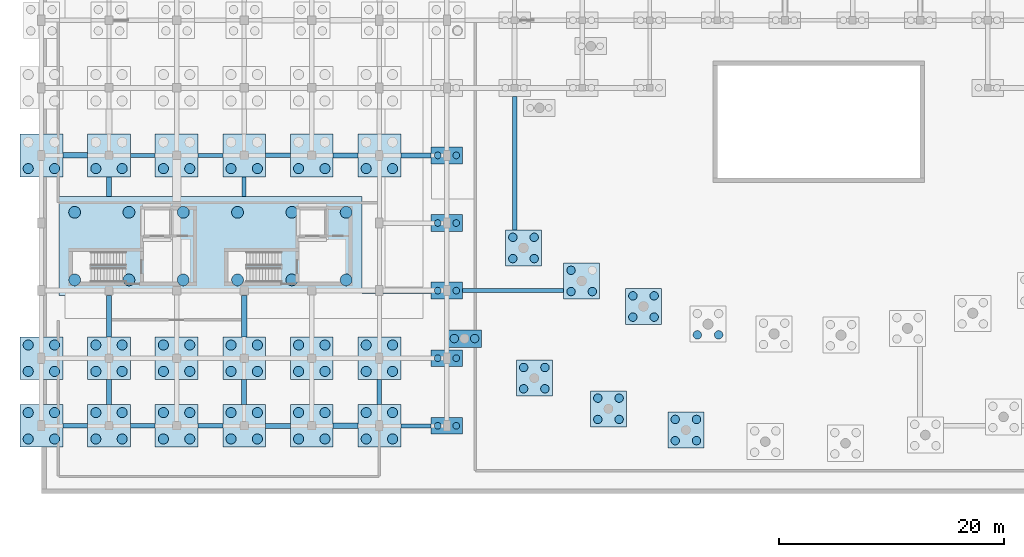
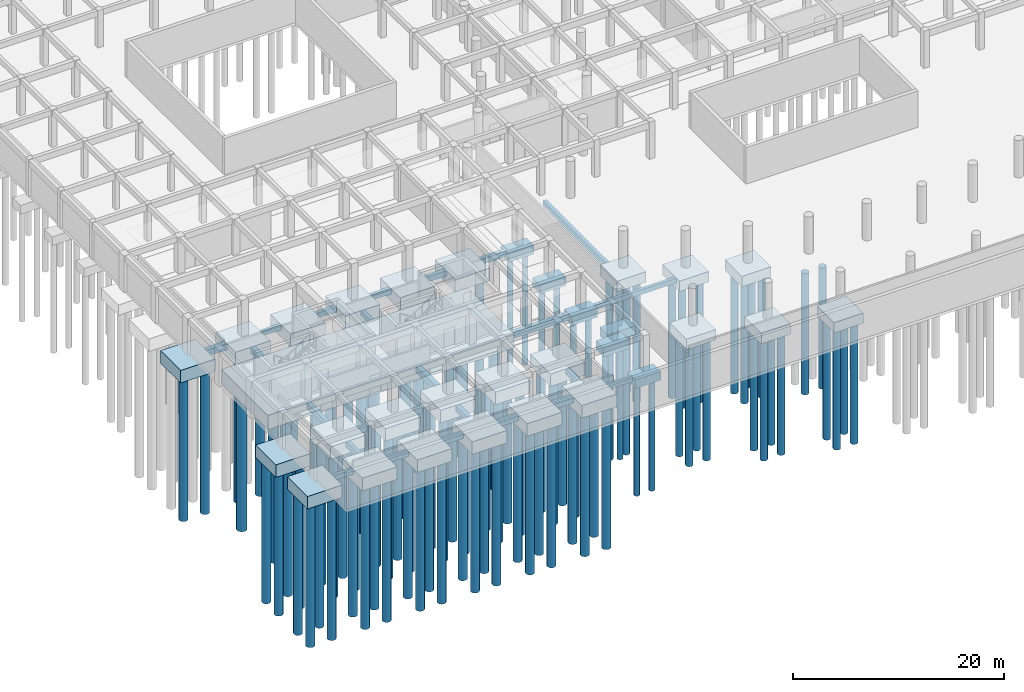
# One storey, part 1 of 41: 109 piles, 53 footings.
"""IFC4 building model written with IfcOpenShell, lengths in metres."""

from ifc_helpers import new_model, si_unit, direction, frame, origin, origin_2d, place, context, subcontext, project, spatial, polyline, rectangle, circle, outline, extrude, material, material_profile, profile_set, type_object, element, save


model = new_model("IFC4")

# Units and contexts
model_context = context("Model", 3, precision=1e-05, world=origin(), true_north=direction((0.0, 1.0)))
body_context = subcontext(model_context, "Body", "Model", "MODEL_VIEW")
ifc_project = project(units=[si_unit("LENGTHUNIT", "METRE"), si_unit("AREAUNIT", "SQUARE_METRE"), si_unit("VOLUMEUNIT", "CUBIC_METRE"), si_unit("PLANEANGLEUNIT", "RADIAN"), si_unit("MASSUNIT", "GRAM", prefix="KILO"), si_unit("POWERUNIT", "WATT"), si_unit("THERMODYNAMICTEMPERATUREUNIT", "KELVIN")], contexts=[model_context])

# Site, building, storey
site_placement = place(None, origin())
site = spatial("IfcSite", under=ifc_project, at=site_placement, CompositionType="ELEMENT")
building_placement = place(site_placement, origin())
building = spatial("IfcBuilding", under=site, at=building_placement, Name="Ruvembo Vaulted Housing Court", CompositionType="ELEMENT")
storey_placement = place(building_placement, frame((0.0, 0.0, -4.5)))
storey = spatial("IfcBuildingStorey", under=building, at=storey_placement, Name="B1", CompositionType="ELEMENT", Elevation=-4.5)

# Footings
ifc_material_1 = material(Name="Concrete C30/37", Category="concrete")
footing_type_1 = type_object("IfcFootingType", Name="GB-350x550", PredefinedType="FOOTING_BEAM", material=ifc_material_1)
footing_1_placement = place(storey_placement, frame((0.0, 0.0, -0.85009765625)))
element("IfcFooting", 1, at=footing_1_placement, inside=storey, type_object=footing_type_1, Name="Ground Tie Beam GB-006", PredefinedType="FOOTING_BEAM", context=body_context, shape_type="SweptSolid", body=[
    extrude(outline(polyline([(31.89990234375, 5.824951171875), (34.60009765625, 5.824951171875), (34.60009765625, 6.175048828125), (31.89990234375, 6.175048828125), (31.89990234375, 5.824951171875)])), origin(), (0.0, 0.0, 1.0), 0.550048828125),
])
footing_2_placement = place(storey_placement, frame((0.0, 0.0, -0.85009765625)))
element("IfcFooting", 2, at=footing_2_placement, inside=storey, type_object=footing_type_1, Name="Ground Tie Beam GB-024", PredefinedType="FOOTING_BEAM", context=body_context, shape_type="SweptSolid", body=[
    extrude(outline(polyline([(37.39990234375, 17.824951171875), (46.358154296875, 17.824951171875), (46.358154296875, 18.175048828125), (37.39990234375, 18.175048828125), (37.39990234375, 17.824951171875)])), origin(), (0.0, 0.0, 1.0), 0.550048828125),
])
footing_3_placement = place(storey_placement, frame((0.0, 0.0, -0.85009765625)))
element("IfcFooting", 3, at=footing_3_placement, inside=storey, type_object=footing_type_1, Name="Ground Tie Beam GB-036", PredefinedType="FOOTING_BEAM", context=body_context, shape_type="SweptSolid", body=[
    extrude(outline(polyline([(7.89990234375, 29.824951171875), (10.10009765625, 29.824951171875), (10.10009765625, 30.175048828125), (7.89990234375, 30.175048828125), (7.89990234375, 29.824951171875)])), origin(), (0.0, 0.0, 1.0), 0.550048828125),
])
footing_4_placement = place(storey_placement, frame((0.0, 0.0, -0.85009765625)))
element("IfcFooting", 4, at=footing_4_placement, inside=storey, type_object=footing_type_1, Name="Ground Tie Beam GB-198", PredefinedType="FOOTING_BEAM", context=body_context, shape_type="SweptSolid", body=[
    extrude(outline(polyline([(17.824951171875, 26.35009765625), (18.175048828125, 26.35009765625), (18.175048828125, 28.10009765625), (17.824951171875, 28.10009765625), (17.824951171875, 26.35009765625)])), origin(), (0.0, 0.0, 1.0), 0.550048828125),
])
footing_type_2 = type_object("IfcFootingType", Name="GB-380x580", PredefinedType="FOOTING_BEAM", material=ifc_material_1)
footing_5_placement = place(storey_placement, frame((0.0, 0.0, -0.8798828125)))
element("IfcFooting", 5, at=footing_5_placement, inside=storey, type_object=footing_type_2, Name="Ground Tie Beam GB-001", PredefinedType="FOOTING_BEAM", context=body_context, shape_type="SweptSolid", body=[
    extrude(outline(polyline([(1.89990234375, 5.81005859375), (4.10009765625, 5.81005859375), (4.10009765625, 6.18994140625), (1.89990234375, 6.18994140625), (1.89990234375, 5.81005859375)])), origin(), (0.0, 0.0, 1.0), 0.579833984375),
])
footing_6_placement = place(storey_placement, frame((0.0, 0.0, -0.8798828125)))
element("IfcFooting", 6, at=footing_6_placement, inside=storey, type_object=footing_type_2, Name="Ground Tie Beam GB-037", PredefinedType="FOOTING_BEAM", context=body_context, shape_type="SweptSolid", body=[
    extrude(outline(polyline([(13.89990234375, 29.81005859375), (16.10009765625, 29.81005859375), (16.10009765625, 30.18994140625), (13.89990234375, 30.18994140625), (13.89990234375, 29.81005859375)])), origin(), (0.0, 0.0, 1.0), 0.579833984375),
])
footing_7_placement = place(storey_placement, frame((0.0, 0.0, -0.8798828125)))
element("IfcFooting", 7, at=footing_7_placement, inside=storey, type_object=footing_type_2, Name="Ground Tie Beam GB-205", PredefinedType="FOOTING_BEAM", context=body_context, shape_type="SweptSolid", body=[
    extrude(outline(polyline([(29.81005859375, 7.89990234375), (30.18994140625, 7.89990234375), (30.18994140625, 10.10009765625), (29.81005859375, 10.10009765625), (29.81005859375, 7.89990234375)])), origin(), (0.0, 0.0, 1.0), 0.579833984375),
])
footing_type_3 = type_object("IfcFootingType", Name="GB-400x600", PredefinedType="FOOTING_BEAM", material=ifc_material_1)
footing_8_placement = place(storey_placement, frame((0.0, 0.0, -0.89990234375)))
element("IfcFooting", 8, at=footing_8_placement, inside=storey, type_object=footing_type_3, Name="Ground Tie Beam GB-002", PredefinedType="FOOTING_BEAM", context=body_context, shape_type="SweptSolid", body=[
    extrude(outline(polyline([(7.89990234375, 5.800048828125), (10.10009765625, 5.800048828125), (10.10009765625, 6.199951171875), (7.89990234375, 6.199951171875), (7.89990234375, 5.800048828125)])), origin(), (0.0, 0.0, 1.0), 0.599853515625),
])
footing_9_placement = place(storey_placement, frame((0.0, 0.0, -0.89990234375)))
element("IfcFooting", 9, at=footing_9_placement, inside=storey, type_object=footing_type_3, Name="Ground Tie Beam GB-038", PredefinedType="FOOTING_BEAM", context=body_context, shape_type="SweptSolid", body=[
    extrude(outline(polyline([(19.89990234375, 29.800048828125), (22.10009765625, 29.800048828125), (22.10009765625, 30.199951171875), (19.89990234375, 30.199951171875), (19.89990234375, 29.800048828125)])), origin(), (0.0, 0.0, 1.0), 0.599853515625),
])
footing_10_placement = place(storey_placement, frame((0.0, 0.0, -0.89990234375)))
element("IfcFooting", 10, at=footing_10_placement, inside=storey, type_object=footing_type_3, Name="Ground Tie Beam GB-182", PredefinedType="FOOTING_BEAM", context=body_context, shape_type="SweptSolid", body=[
    extrude(outline(polyline([(5.800048828125, 7.89990234375), (6.199951171875, 7.89990234375), (6.199951171875, 10.10009765625), (5.800048828125, 10.10009765625), (5.800048828125, 7.89990234375)])), origin(), (0.0, 0.0, 1.0), 0.599853515625),
])
footing_11_placement = place(storey_placement, frame((0.0, 0.0, -0.89990234375)))
element("IfcFooting", 11, at=footing_11_placement, inside=storey, type_object=footing_type_3, Name="Ground Tie Beam GB-212", PredefinedType="FOOTING_BEAM", context=body_context, shape_type="SweptSolid", body=[
    extrude(outline(polyline([(41.800048828125, 23.38525390625), (42.199951171875, 23.38525390625), (42.199951171875, 35.25), (41.800048828125, 35.25), (41.800048828125, 23.38525390625)])), origin(), (0.0, 0.0, 1.0), 0.599853515625),
])
footing_type_4 = type_object("IfcFootingType", Name="GB-420x620", PredefinedType="FOOTING_BEAM", material=ifc_material_1)
footing_12_placement = place(storey_placement, frame((0.0, 0.0, -0.919921875)))
element("IfcFooting", 12, at=footing_12_placement, inside=storey, type_object=footing_type_4, Name="Ground Tie Beam GB-003", PredefinedType="FOOTING_BEAM", context=body_context, shape_type="SweptSolid", body=[
    extrude(outline(polyline([(13.89990234375, 5.7900390625), (16.10009765625, 5.7900390625), (16.10009765625, 6.2099609375), (13.89990234375, 6.2099609375), (13.89990234375, 5.7900390625)])), origin(), (0.0, 0.0, 1.0), 0.619873046875),
])
footing_13_placement = place(storey_placement, frame((0.0, 0.0, -0.919921875)))
element("IfcFooting", 13, at=footing_13_placement, inside=storey, type_object=footing_type_4, Name="Ground Tie Beam GB-039", PredefinedType="FOOTING_BEAM", context=body_context, shape_type="SweptSolid", body=[
    extrude(outline(polyline([(25.89990234375, 29.7900390625), (28.10009765625, 29.7900390625), (28.10009765625, 30.2099609375), (25.89990234375, 30.2099609375), (25.89990234375, 29.7900390625)])), origin(), (0.0, 0.0, 1.0), 0.619873046875),
])
footing_14_placement = place(storey_placement, frame((0.0, 0.0, -0.919921875)))
element("IfcFooting", 14, at=footing_14_placement, inside=storey, type_object=footing_type_4, Name="Ground Tie Beam GB-183", PredefinedType="FOOTING_BEAM", context=body_context, shape_type="SweptSolid", body=[
    extrude(outline(polyline([(5.7900390625, 13.89990234375), (6.2099609375, 13.89990234375), (6.2099609375, 17.550048828125), (5.7900390625, 17.550048828125), (5.7900390625, 13.89990234375)])), origin(), (0.0, 0.0, 1.0), 0.619873046875),
])
footing_type_5 = type_object("IfcFootingType", Name="GB-450x650", PredefinedType="FOOTING_BEAM", material=ifc_material_1)
footing_15_placement = place(storey_placement, frame((0.0, 0.0, -0.949951171875)))
element("IfcFooting", 15, at=footing_15_placement, inside=storey, type_object=footing_type_5, Name="Ground Tie Beam GB-004", PredefinedType="FOOTING_BEAM", context=body_context, shape_type="SweptSolid", body=[
    extrude(outline(polyline([(19.89990234375, 5.77490234375), (22.10009765625, 5.77490234375), (22.10009765625, 6.22509765625), (19.89990234375, 6.22509765625), (19.89990234375, 5.77490234375)])), origin(), (0.0, 0.0, 1.0), 0.64990234375),
])
footing_16_placement = place(storey_placement, frame((0.0, 0.0, -0.949951171875)))
element("IfcFooting", 16, at=footing_16_placement, inside=storey, type_object=footing_type_5, Name="Ground Tie Beam GB-040", PredefinedType="FOOTING_BEAM", context=body_context, shape_type="SweptSolid", body=[
    extrude(outline(polyline([(31.89990234375, 29.77490234375), (34.60009765625, 29.77490234375), (34.60009765625, 30.22509765625), (31.89990234375, 30.22509765625), (31.89990234375, 29.77490234375)])), origin(), (0.0, 0.0, 1.0), 0.64990234375),
])
footing_17_placement = place(storey_placement, frame((0.0, 0.0, -0.949951171875)))
element("IfcFooting", 17, at=footing_17_placement, inside=storey, type_object=footing_type_5, Name="Ground Tie Beam GB-184", PredefinedType="FOOTING_BEAM", context=body_context, shape_type="SweptSolid", body=[
    extrude(outline(polyline([(5.77490234375, 26.35009765625), (6.22509765625, 26.35009765625), (6.22509765625, 28.10009765625), (5.77490234375, 28.10009765625), (5.77490234375, 26.35009765625)])), origin(), (0.0, 0.0, 1.0), 0.64990234375),
])
footing_18_placement = place(storey_placement, frame((0.0, 0.0, -0.949951171875)))
element("IfcFooting", 18, at=footing_18_placement, inside=storey, type_object=footing_type_5, Name="Ground Tie Beam GB-196", PredefinedType="FOOTING_BEAM", context=body_context, shape_type="SweptSolid", body=[
    extrude(outline(polyline([(17.77490234375, 7.89990234375), (18.22509765625, 7.89990234375), (18.22509765625, 10.10009765625), (17.77490234375, 10.10009765625), (17.77490234375, 7.89990234375)])), origin(), (0.0, 0.0, 1.0), 0.64990234375),
])
footing_type_6 = type_object("IfcFootingType", Name="GB-500x700", PredefinedType="FOOTING_BEAM", material=ifc_material_1)
footing_19_placement = place(storey_placement, frame((0.0, 0.0, -1.0)))
element("IfcFooting", 19, at=footing_19_placement, inside=storey, type_object=footing_type_6, Name="Ground Tie Beam GB-005", PredefinedType="FOOTING_BEAM", context=body_context, shape_type="SweptSolid", body=[
    extrude(outline(polyline([(25.89990234375, 5.75), (28.10009765625, 5.75), (28.10009765625, 6.25), (25.89990234375, 6.25), (25.89990234375, 5.75)])), origin(), (0.0, 0.0, 1.0), 0.699951171875),
])
footing_20_placement = place(storey_placement, frame((0.0, 0.0, -1.0)))
element("IfcFooting", 20, at=footing_20_placement, inside=storey, type_object=footing_type_6, Name="Ground Tie Beam GB-023", PredefinedType="FOOTING_BEAM", context=body_context, shape_type="SweptSolid", body=[
    extrude(outline(polyline([(28.449951171875, 17.75), (34.60009765625, 17.75), (34.60009765625, 18.25), (28.449951171875, 18.25), (28.449951171875, 17.75)])), origin(), (0.0, 0.0, 1.0), 0.699951171875),
])
footing_21_placement = place(storey_placement, frame((0.0, 0.0, -1.0)))
element("IfcFooting", 21, at=footing_21_placement, inside=storey, type_object=footing_type_6, Name="Ground Tie Beam GB-035", PredefinedType="FOOTING_BEAM", context=body_context, shape_type="SweptSolid", body=[
    extrude(outline(polyline([(1.89990234375, 29.75), (4.10009765625, 29.75), (4.10009765625, 30.25), (1.89990234375, 30.25), (1.89990234375, 29.75)])), origin(), (0.0, 0.0, 1.0), 0.699951171875),
])
footing_22_placement = place(storey_placement, frame((0.0, 0.0, -1.0)))
element("IfcFooting", 22, at=footing_22_placement, inside=storey, type_object=footing_type_6, Name="Ground Tie Beam GB-197", PredefinedType="FOOTING_BEAM", context=body_context, shape_type="SweptSolid", body=[
    extrude(outline(polyline([(17.75, 13.89990234375), (18.25, 13.89990234375), (18.25, 17.550048828125), (17.75, 17.550048828125), (17.75, 13.89990234375)])), origin(), (0.0, 0.0, 1.0), 0.699951171875),
])
ifc_material_2 = material(Name="Concrete C35/45", Category="concrete")
footing_type_7 = type_object("IfcFootingType", Name="PC-2P-A", PredefinedType="PILE_CAP", material=ifc_material_2)
for number, where, z_axis, x_axis, name in (
    (23, (36.0, 6.0, -1.300048828125), (0.0, 0.0, 1.0), (1.0, 0.0, 0.0), "Pile Cap PC1 #75"),
    (24, (36.0, 12.0, -1.300048828125), (0.0, 0.0, 1.0), (1.0, 0.0, 0.0), "Pile Cap PC1 #76"),
    (25, (36.0, 18.0, -1.300048828125), (0.0, 0.0, 1.0), (1.0, 0.0, 0.0), "Pile Cap PC1 #77"),
    (26, (36.0, 24.0, -1.300048828125), (0.0, 0.0, 1.0), (1.0, 0.0, 0.0), "Pile Cap PC1 #78"),
    (27, (36.0, 30.0, -1.300048828125), (0.0, 0.0, 1.0), (1.0, 0.0, 0.0), "Pile Cap PC1 #79"),
):
    element("IfcFooting", number, at=place(storey_placement, frame(where, z_axis=z_axis, x_axis=x_axis)), inside=storey, type_object=footing_type_7, Name=name, PredefinedType="PILE_CAP", context=body_context, shape_type="SweptSolid", body=[
        extrude(rectangle(XDim=2.800048828125, YDim=1.5, at=origin_2d()), origin(), (0.0, 0.0, 1.0), 1.0),
    ])
footing_type_8 = type_object("IfcFootingType", Name="PC-2P-B", PredefinedType="PILE_CAP", material=ifc_material_2)
footing_23_placement = place(storey_placement, frame((37.55224609375, 13.742431640625, -1.35009765625), z_axis=(0.0, 0.0, 1.0), x_axis=(1.0, 0.0, 0.0)))
element("IfcFooting", 28, at=footing_23_placement, inside=storey, type_object=footing_type_8, Name="Pile Cap PC2 #404", PredefinedType="PILE_CAP", context=body_context, shape_type="SweptSolid", body=[
    extrude(rectangle(XDim=3.0, YDim=1.550048828125, at=origin_2d()), origin(), (0.0, 0.0, 1.0), 1.050048828125),
])
footing_type_9 = type_object("IfcFootingType", Name="PC-4P-A", PredefinedType="PILE_CAP", material=ifc_material_2)
for number, where, z_axis, x_axis, name in (
    (29, (42.79345703125, 21.785400390625, -1.5), (0.0, 0.0, 1.0), (1.0, 0.0, 0.0), "Pile Cap PC4 #403"),
    (30, (47.958251953125, 18.85791015625, -1.5), (0.0, 0.0, 1.0), (1.0, 0.0, 0.0), "Pile Cap PC4 #405"),
    (31, (43.749755859375, 10.2294921875, -1.5), (0.0, 0.0, 1.0), (1.0, 0.0, 0.0), "Pile Cap PC4 #406"),
    (32, (53.44482421875, 16.59033203125, -1.5), (0.0, 0.0, 1.0), (1.0, 0.0, 0.0), "Pile Cap PC4 #407"),
    (33, (50.333740234375, 7.50830078125, -1.5), (0.0, 0.0, 1.0), (1.0, 0.0, 0.0), "Pile Cap PC4 #408"),
    (34, (57.203125, 5.62109375, -1.5), (0.0, 0.0, 1.0), (1.0, 0.0, 0.0), "Pile Cap PC4 #410"),
):
    element("IfcFooting", number, at=place(storey_placement, frame(where, z_axis=z_axis, x_axis=x_axis)), inside=storey, type_object=footing_type_9, Name=name, PredefinedType="PILE_CAP", context=body_context, shape_type="SweptSolid", body=[
        extrude(rectangle(XDim=3.199951171875, YDim=3.199951171875, at=origin_2d()), origin(), (0.0, 0.0, 1.0), 1.199951171875),
    ])
footing_type_10 = type_object("IfcFootingType", Name="PC-4P-D", PredefinedType="PILE_CAP", material=ifc_material_2)
for number, where, z_axis, x_axis, name in (
    (35, (0.0, 6.0, -1.75), (0.0, 0.0, 1.0), (1.0, 0.0, 0.0), "Pile Cap PC7 #5"),
    (36, (0.0, 12.0, -1.75), (0.0, 0.0, 1.0), (1.0, 0.0, 0.0), "Pile Cap PC7 #6"),
    (37, (0.0, 30.0, -1.75), (0.0, 0.0, 1.0), (1.0, 0.0, 0.0), "Pile Cap PC7 #7"),
    (38, (6.0, 6.0, -1.75), (0.0, 0.0, 1.0), (1.0, 0.0, 0.0), "Pile Cap PC7 #17"),
    (39, (6.0, 12.0, -1.75), (0.0, 0.0, 1.0), (1.0, 0.0, 0.0), "Pile Cap PC7 #18"),
    (40, (6.0, 30.0, -1.75), (0.0, 0.0, 1.0), (1.0, 0.0, 0.0), "Pile Cap PC7 #19"),
    (41, (12.0, 6.0, -1.75), (0.0, 0.0, 1.0), (1.0, 0.0, 0.0), "Pile Cap PC7 #31"),
    (42, (12.0, 12.0, -1.75), (0.0, 0.0, 1.0), (1.0, 0.0, 0.0), "Pile Cap PC7 #32"),
    (43, (12.0, 30.0, -1.75), (0.0, 0.0, 1.0), (1.0, 0.0, 0.0), "Pile Cap PC7 #33"),
    (44, (18.0, 6.0, -1.75), (0.0, 0.0, 1.0), (1.0, 0.0, 0.0), "Pile Cap PC7 #45"),
    (45, (18.0, 12.0, -1.75), (0.0, 0.0, 1.0), (1.0, 0.0, 0.0), "Pile Cap PC7 #46"),
    (46, (18.0, 30.0, -1.75), (0.0, 0.0, 1.0), (1.0, 0.0, 0.0), "Pile Cap PC7 #47"),
    (47, (24.0, 6.0, -1.75), (0.0, 0.0, 1.0), (1.0, 0.0, 0.0), "Pile Cap PC7 #55"),
    (48, (24.0, 12.0, -1.75), (0.0, 0.0, 1.0), (1.0, 0.0, 0.0), "Pile Cap PC7 #56"),
    (49, (24.0, 30.0, -1.75), (0.0, 0.0, 1.0), (1.0, 0.0, 0.0), "Pile Cap PC7 #57"),
    (50, (30.0, 6.0, -1.75), (0.0, 0.0, 1.0), (1.0, 0.0, 0.0), "Pile Cap PC7 #65"),
    (51, (30.0, 12.0, -1.75), (0.0, 0.0, 1.0), (1.0, 0.0, 0.0), "Pile Cap PC7 #66"),
    (52, (30.0, 30.0, -1.75), (0.0, 0.0, 1.0), (1.0, 0.0, 0.0), "Pile Cap PC7 #67"),
):
    element("IfcFooting", number, at=place(storey_placement, frame(where, z_axis=z_axis, x_axis=x_axis)), inside=storey, type_object=footing_type_10, Name=name, PredefinedType="PILE_CAP", context=body_context, shape_type="SweptSolid", body=[
        extrude(rectangle(XDim=3.800048828125, YDim=3.800048828125, at=origin_2d()), origin(), (0.0, 0.0, 1.0), 1.449951171875),
    ])
footing_type_11 = type_object("IfcFootingType", Name="PC-MAT-A", PredefinedType="PILE_CAP", material=ifc_material_2)
footing_24_placement = place(storey_placement, frame((15.0, 21.949951171875, -1.949951171875), z_axis=(0.0, 0.0, 1.0), x_axis=(1.0, 0.0, 0.0)))
element("IfcFooting", 53, at=footing_24_placement, inside=storey, type_object=footing_type_11, Name="Core Pile Cap PCM-A", PredefinedType="PILE_CAP", context=body_context, shape_type="SweptSolid", body=[
    extrude(rectangle(XDim=26.89990234375, YDim=8.800048828125, at=origin_2d()), origin(), (0.0, 0.0, 1.0), 1.64990234375),
])

# Piles
ifc_material_profile_1 = material_profile(ifc_material_1, circle(Radius=0.52490234375, at=origin_2d()), Name="PILE D1050")
ifc_profile_set_1 = profile_set([ifc_material_profile_1], Name="Concrete C30/37")
pile_type_1 = type_object("IfcPileType", Name="PILE-BORED-1050", PredefinedType="BORED", material=ifc_profile_set_1)
for number, where, z_axis, x_axis, name in (
    (54, (2.949951171875, 18.949951171875, -1.85009765625), (0.0, 0.0, -1.0), (1.0, 0.0, 0.0), "Bored Pile PILE-0001"),
    (55, (2.949951171875, 24.949951171875, -1.85009765625), (0.0, 0.0, -1.0), (1.0, 0.0, 0.0), "Bored Pile PILE-0002"),
    (56, (7.77001953125, 18.949951171875, -1.85009765625), (0.0, 0.0, -1.0), (1.0, 0.0, 0.0), "Bored Pile PILE-0003"),
    (57, (7.77001953125, 24.949951171875, -1.85009765625), (0.0, 0.0, -1.0), (1.0, 0.0, 0.0), "Bored Pile PILE-0004"),
    (58, (12.590087890625, 18.949951171875, -1.85009765625), (0.0, 0.0, -1.0), (1.0, 0.0, 0.0), "Bored Pile PILE-0005"),
    (59, (12.590087890625, 24.949951171875, -1.85009765625), (0.0, 0.0, -1.0), (1.0, 0.0, 0.0), "Bored Pile PILE-0006"),
    (60, (17.409912109375, 18.949951171875, -1.85009765625), (0.0, 0.0, -1.0), (1.0, 0.0, 0.0), "Bored Pile PILE-0007"),
    (61, (17.409912109375, 24.949951171875, -1.85009765625), (0.0, 0.0, -1.0), (1.0, 0.0, 0.0), "Bored Pile PILE-0008"),
    (62, (22.22998046875, 18.949951171875, -1.85009765625), (0.0, 0.0, -1.0), (1.0, 0.0, 0.0), "Bored Pile PILE-0009"),
    (63, (22.22998046875, 24.949951171875, -1.85009765625), (0.0, 0.0, -1.0), (1.0, 0.0, 0.0), "Bored Pile PILE-0010"),
    (64, (27.050048828125, 18.949951171875, -1.85009765625), (0.0, 0.0, -1.0), (1.0, 0.0, 0.0), "Bored Pile PILE-0011"),
    (65, (27.050048828125, 24.949951171875, -1.85009765625), (0.0, 0.0, -1.0), (1.0, 0.0, 0.0), "Bored Pile PILE-0012"),
):
    element("IfcPile", number, at=place(storey_placement, frame(where, z_axis=z_axis, x_axis=x_axis)), inside=storey, type_object=pile_type_1, Name=name, PredefinedType="BORED", context=body_context, shape_type="SweptSolid", body=[
        extrude(circle(Radius=0.52490234375, at=origin_2d()), origin(), (0.0, 0.0, 1.0), 16.5),
    ])
ifc_material_profile_2 = material_profile(ifc_material_1, circle(Radius=0.300048828125, at=origin_2d()), Name="PILE D600")
ifc_profile_set_2 = profile_set([ifc_material_profile_2], Name="Concrete C30/37")
pile_type_2 = type_object("IfcPileType", Name="PILE-BORED-600", PredefinedType="BORED", material=ifc_profile_set_2)
for number, where, z_axis, x_axis, name in (
    (66, (35.179931640625, 6.0, -1.199951171875), (0.0, 0.0, -1.0), (1.0, 0.0, 0.0), "Bored Pile PILE-0249"),
    (67, (36.820068359375, 6.0, -1.199951171875), (0.0, 0.0, -1.0), (1.0, 0.0, 0.0), "Bored Pile PILE-0250"),
    (68, (35.179931640625, 12.0, -1.199951171875), (0.0, 0.0, -1.0), (1.0, 0.0, 0.0), "Bored Pile PILE-0251"),
    (69, (36.820068359375, 12.0, -1.199951171875), (0.0, 0.0, -1.0), (1.0, 0.0, 0.0), "Bored Pile PILE-0252"),
    (70, (35.179931640625, 18.0, -1.199951171875), (0.0, 0.0, -1.0), (1.0, 0.0, 0.0), "Bored Pile PILE-0253"),
    (71, (36.820068359375, 18.0, -1.199951171875), (0.0, 0.0, -1.0), (1.0, 0.0, 0.0), "Bored Pile PILE-0254"),
    (72, (35.179931640625, 24.0, -1.199951171875), (0.0, 0.0, -1.0), (1.0, 0.0, 0.0), "Bored Pile PILE-0255"),
    (73, (36.820068359375, 24.0, -1.199951171875), (0.0, 0.0, -1.0), (1.0, 0.0, 0.0), "Bored Pile PILE-0256"),
    (74, (35.179931640625, 30.0, -1.199951171875), (0.0, 0.0, -1.0), (1.0, 0.0, 0.0), "Bored Pile PILE-0257"),
    (75, (36.820068359375, 30.0, -1.199951171875), (0.0, 0.0, -1.0), (1.0, 0.0, 0.0), "Bored Pile PILE-0258"),
):
    element("IfcPile", number, at=place(storey_placement, frame(where, z_axis=z_axis, x_axis=x_axis)), inside=storey, type_object=pile_type_2, Name=name, PredefinedType="BORED", context=body_context, shape_type="SweptSolid", body=[
        extrude(circle(Radius=0.300048828125, at=origin_2d()), origin(), (0.0, 0.0, 1.0), 13.0),
    ])
ifc_material_profile_3 = material_profile(ifc_material_1, circle(Radius=0.375, at=origin_2d()), Name="PILE D750")
ifc_profile_set_3 = profile_set([ifc_material_profile_3], Name="Concrete C30/37")
pile_type_3 = type_object("IfcPileType", Name="PILE-BORED-750", PredefinedType="BORED", material=ifc_profile_set_3)
for number, where, z_axis, x_axis, name in (
    (76, (41.848388671875, 20.84033203125, -1.39990234375), (0.0, 0.0, -1.0), (1.0, 0.0, 0.0), "Bored Pile PILE-1085"),
    (77, (43.738525390625, 20.84033203125, -1.39990234375), (0.0, 0.0, -1.0), (1.0, 0.0, 0.0), "Bored Pile PILE-1086"),
    (78, (41.848388671875, 22.730224609375, -1.39990234375), (0.0, 0.0, -1.0), (1.0, 0.0, 0.0), "Bored Pile PILE-1087"),
    (79, (43.738525390625, 22.730224609375, -1.39990234375), (0.0, 0.0, -1.0), (1.0, 0.0, 0.0), "Bored Pile PILE-1088"),
    (80, (36.647216796875, 13.742431640625, -1.25), (0.0, 0.0, -1.0), (1.0, 0.0, 0.0), "Bored Pile PILE-1089"),
    (81, (38.457275390625, 13.742431640625, -1.25), (0.0, 0.0, -1.0), (1.0, 0.0, 0.0), "Bored Pile PILE-1090"),
    (82, (47.01318359375, 17.912841796875, -1.39990234375), (0.0, 0.0, -1.0), (1.0, 0.0, 0.0), "Bored Pile PILE-1091"),
    (83, (48.9033203125, 17.912841796875, -1.39990234375), (0.0, 0.0, -1.0), (1.0, 0.0, 0.0), "Bored Pile PILE-1092"),
    (84, (47.01318359375, 19.802978515625, -1.39990234375), (0.0, 0.0, -1.0), (1.0, 0.0, 0.0), "Bored Pile PILE-1093"),
    (85, (42.8046875, 9.284423828125, -1.39990234375), (0.0, 0.0, -1.0), (1.0, 0.0, 0.0), "Bored Pile PILE-1095"),
    (86, (44.69482421875, 9.284423828125, -1.39990234375), (0.0, 0.0, -1.0), (1.0, 0.0, 0.0), "Bored Pile PILE-1096"),
    (87, (42.8046875, 11.174560546875, -1.39990234375), (0.0, 0.0, -1.0), (1.0, 0.0, 0.0), "Bored Pile PILE-1097"),
    (88, (44.69482421875, 11.174560546875, -1.39990234375), (0.0, 0.0, -1.0), (1.0, 0.0, 0.0), "Bored Pile PILE-1098"),
    (89, (52.499755859375, 15.6455078125, -1.39990234375), (0.0, 0.0, -1.0), (1.0, 0.0, 0.0), "Bored Pile PILE-1099"),
    (90, (54.389892578125, 15.6455078125, -1.39990234375), (0.0, 0.0, -1.0), (1.0, 0.0, 0.0), "Bored Pile PILE-1100"),
    (91, (52.499755859375, 17.535400390625, -1.39990234375), (0.0, 0.0, -1.0), (1.0, 0.0, 0.0), "Bored Pile PILE-1101"),
    (92, (54.389892578125, 17.535400390625, -1.39990234375), (0.0, 0.0, -1.0), (1.0, 0.0, 0.0), "Bored Pile PILE-1102"),
    (93, (49.388671875, 6.5634765625, -1.39990234375), (0.0, 0.0, -1.0), (1.0, 0.0, 0.0), "Bored Pile PILE-1103"),
    (94, (51.27880859375, 6.5634765625, -1.39990234375), (0.0, 0.0, -1.0), (1.0, 0.0, 0.0), "Bored Pile PILE-1104"),
    (95, (49.388671875, 8.453369140625, -1.39990234375), (0.0, 0.0, -1.0), (1.0, 0.0, 0.0), "Bored Pile PILE-1105"),
    (96, (51.27880859375, 8.453369140625, -1.39990234375), (0.0, 0.0, -1.0), (1.0, 0.0, 0.0), "Bored Pile PILE-1106"),
    (97, (58.224365234375, 14.072509765625, -1.39990234375), (0.0, 0.0, -1.0), (1.0, 0.0, 0.0), "Bored Pile PILE-1107"),
    (98, (60.1142578125, 14.072509765625, -1.39990234375), (0.0, 0.0, -1.0), (1.0, 0.0, 0.0), "Bored Pile PILE-1108"),
    (99, (56.258056640625, 4.676025390625, -1.39990234375), (0.0, 0.0, -1.0), (1.0, 0.0, 0.0), "Bored Pile PILE-1111"),
    (100, (58.148193359375, 4.676025390625, -1.39990234375), (0.0, 0.0, -1.0), (1.0, 0.0, 0.0), "Bored Pile PILE-1112"),
    (101, (56.258056640625, 6.56591796875, -1.39990234375), (0.0, 0.0, -1.0), (1.0, 0.0, 0.0), "Bored Pile PILE-1113"),
    (102, (58.148193359375, 6.56591796875, -1.39990234375), (0.0, 0.0, -1.0), (1.0, 0.0, 0.0), "Bored Pile PILE-1114"),
):
    element("IfcPile", number, at=place(storey_placement, frame(where, z_axis=z_axis, x_axis=x_axis)), inside=storey, type_object=pile_type_3, Name=name, PredefinedType="BORED", context=body_context, shape_type="SweptSolid", body=[
        extrude(circle(Radius=0.375, at=origin_2d()), origin(), (0.0, 0.0, 1.0), 14.0),
    ])
ifc_material_profile_4 = material_profile(ifc_material_1, circle(Radius=0.449951171875, at=origin_2d()), Name="PILE D900")
ifc_profile_set_4 = profile_set([ifc_material_profile_4], Name="Concrete C30/37")
pile_type_4 = type_object("IfcPileType", Name="PILE-BORED-900", PredefinedType="BORED", material=ifc_profile_set_4)
for number, where, z_axis, x_axis, name in (
    (103, (-1.169921875, 4.830078125, -1.64990234375), (0.0, 0.0, -1.0), (1.0, 0.0, 0.0), "Bored Pile PILE-0049"),
    (104, (1.169921875, 4.830078125, -1.64990234375), (0.0, 0.0, -1.0), (1.0, 0.0, 0.0), "Bored Pile PILE-0050"),
    (105, (-1.169921875, 7.169921875, -1.64990234375), (0.0, 0.0, -1.0), (1.0, 0.0, 0.0), "Bored Pile PILE-0051"),
    (106, (1.169921875, 7.169921875, -1.64990234375), (0.0, 0.0, -1.0), (1.0, 0.0, 0.0), "Bored Pile PILE-0052"),
    (107, (-1.169921875, 10.830078125, -1.64990234375), (0.0, 0.0, -1.0), (1.0, 0.0, 0.0), "Bored Pile PILE-0053"),
    (108, (1.169921875, 10.830078125, -1.64990234375), (0.0, 0.0, -1.0), (1.0, 0.0, 0.0), "Bored Pile PILE-0054"),
    (109, (-1.169921875, 13.169921875, -1.64990234375), (0.0, 0.0, -1.0), (1.0, 0.0, 0.0), "Bored Pile PILE-0055"),
    (110, (1.169921875, 13.169921875, -1.64990234375), (0.0, 0.0, -1.0), (1.0, 0.0, 0.0), "Bored Pile PILE-0056"),
    (111, (-1.169921875, 28.830078125, -1.64990234375), (0.0, 0.0, -1.0), (1.0, 0.0, 0.0), "Bored Pile PILE-0057"),
    (112, (1.169921875, 28.830078125, -1.64990234375), (0.0, 0.0, -1.0), (1.0, 0.0, 0.0), "Bored Pile PILE-0058"),
    (113, (4.830078125, 4.830078125, -1.64990234375), (0.0, 0.0, -1.0), (1.0, 0.0, 0.0), "Bored Pile PILE-0083"),
    (114, (7.169921875, 4.830078125, -1.64990234375), (0.0, 0.0, -1.0), (1.0, 0.0, 0.0), "Bored Pile PILE-0084"),
    (115, (4.830078125, 7.169921875, -1.64990234375), (0.0, 0.0, -1.0), (1.0, 0.0, 0.0), "Bored Pile PILE-0085"),
    (116, (7.169921875, 7.169921875, -1.64990234375), (0.0, 0.0, -1.0), (1.0, 0.0, 0.0), "Bored Pile PILE-0086"),
    (117, (4.830078125, 10.830078125, -1.64990234375), (0.0, 0.0, -1.0), (1.0, 0.0, 0.0), "Bored Pile PILE-0087"),
    (118, (7.169921875, 10.830078125, -1.64990234375), (0.0, 0.0, -1.0), (1.0, 0.0, 0.0), "Bored Pile PILE-0088"),
    (119, (4.830078125, 13.169921875, -1.64990234375), (0.0, 0.0, -1.0), (1.0, 0.0, 0.0), "Bored Pile PILE-0089"),
    (120, (7.169921875, 13.169921875, -1.64990234375), (0.0, 0.0, -1.0), (1.0, 0.0, 0.0), "Bored Pile PILE-0090"),
    (121, (4.830078125, 28.830078125, -1.64990234375), (0.0, 0.0, -1.0), (1.0, 0.0, 0.0), "Bored Pile PILE-0091"),
    (122, (7.169921875, 28.830078125, -1.64990234375), (0.0, 0.0, -1.0), (1.0, 0.0, 0.0), "Bored Pile PILE-0092"),
    (123, (10.830078125, 4.830078125, -1.64990234375), (0.0, 0.0, -1.0), (1.0, 0.0, 0.0), "Bored Pile PILE-0121"),
    (124, (13.169921875, 4.830078125, -1.64990234375), (0.0, 0.0, -1.0), (1.0, 0.0, 0.0), "Bored Pile PILE-0122"),
    (125, (10.830078125, 7.169921875, -1.64990234375), (0.0, 0.0, -1.0), (1.0, 0.0, 0.0), "Bored Pile PILE-0123"),
    (126, (13.169921875, 7.169921875, -1.64990234375), (0.0, 0.0, -1.0), (1.0, 0.0, 0.0), "Bored Pile PILE-0124"),
    (127, (10.830078125, 10.830078125, -1.64990234375), (0.0, 0.0, -1.0), (1.0, 0.0, 0.0), "Bored Pile PILE-0125"),
    (128, (13.169921875, 10.830078125, -1.64990234375), (0.0, 0.0, -1.0), (1.0, 0.0, 0.0), "Bored Pile PILE-0126"),
    (129, (10.830078125, 13.169921875, -1.64990234375), (0.0, 0.0, -1.0), (1.0, 0.0, 0.0), "Bored Pile PILE-0127"),
    (130, (13.169921875, 13.169921875, -1.64990234375), (0.0, 0.0, -1.0), (1.0, 0.0, 0.0), "Bored Pile PILE-0128"),
    (131, (10.830078125, 28.830078125, -1.64990234375), (0.0, 0.0, -1.0), (1.0, 0.0, 0.0), "Bored Pile PILE-0129"),
    (132, (13.169921875, 28.830078125, -1.64990234375), (0.0, 0.0, -1.0), (1.0, 0.0, 0.0), "Bored Pile PILE-0130"),
    (133, (16.830078125, 4.830078125, -1.64990234375), (0.0, 0.0, -1.0), (1.0, 0.0, 0.0), "Bored Pile PILE-0159"),
    (134, (19.169921875, 4.830078125, -1.64990234375), (0.0, 0.0, -1.0), (1.0, 0.0, 0.0), "Bored Pile PILE-0160"),
    (135, (16.830078125, 7.169921875, -1.64990234375), (0.0, 0.0, -1.0), (1.0, 0.0, 0.0), "Bored Pile PILE-0161"),
    (136, (19.169921875, 7.169921875, -1.64990234375), (0.0, 0.0, -1.0), (1.0, 0.0, 0.0), "Bored Pile PILE-0162"),
    (137, (16.830078125, 10.830078125, -1.64990234375), (0.0, 0.0, -1.0), (1.0, 0.0, 0.0), "Bored Pile PILE-0163"),
    (138, (19.169921875, 10.830078125, -1.64990234375), (0.0, 0.0, -1.0), (1.0, 0.0, 0.0), "Bored Pile PILE-0164"),
    (139, (16.830078125, 13.169921875, -1.64990234375), (0.0, 0.0, -1.0), (1.0, 0.0, 0.0), "Bored Pile PILE-0165"),
    (140, (19.169921875, 13.169921875, -1.64990234375), (0.0, 0.0, -1.0), (1.0, 0.0, 0.0), "Bored Pile PILE-0166"),
    (141, (16.830078125, 28.830078125, -1.64990234375), (0.0, 0.0, -1.0), (1.0, 0.0, 0.0), "Bored Pile PILE-0167"),
    (142, (19.169921875, 28.830078125, -1.64990234375), (0.0, 0.0, -1.0), (1.0, 0.0, 0.0), "Bored Pile PILE-0168"),
    (143, (22.830078125, 4.830078125, -1.64990234375), (0.0, 0.0, -1.0), (1.0, 0.0, 0.0), "Bored Pile PILE-0189"),
    (144, (25.169921875, 4.830078125, -1.64990234375), (0.0, 0.0, -1.0), (1.0, 0.0, 0.0), "Bored Pile PILE-0190"),
    (145, (22.830078125, 7.169921875, -1.64990234375), (0.0, 0.0, -1.0), (1.0, 0.0, 0.0), "Bored Pile PILE-0191"),
    (146, (25.169921875, 7.169921875, -1.64990234375), (0.0, 0.0, -1.0), (1.0, 0.0, 0.0), "Bored Pile PILE-0192"),
    (147, (22.830078125, 10.830078125, -1.64990234375), (0.0, 0.0, -1.0), (1.0, 0.0, 0.0), "Bored Pile PILE-0193"),
    (148, (25.169921875, 10.830078125, -1.64990234375), (0.0, 0.0, -1.0), (1.0, 0.0, 0.0), "Bored Pile PILE-0194"),
    (149, (22.830078125, 13.169921875, -1.64990234375), (0.0, 0.0, -1.0), (1.0, 0.0, 0.0), "Bored Pile PILE-0195"),
    (150, (25.169921875, 13.169921875, -1.64990234375), (0.0, 0.0, -1.0), (1.0, 0.0, 0.0), "Bored Pile PILE-0196"),
    (151, (22.830078125, 28.830078125, -1.64990234375), (0.0, 0.0, -1.0), (1.0, 0.0, 0.0), "Bored Pile PILE-0197"),
    (152, (25.169921875, 28.830078125, -1.64990234375), (0.0, 0.0, -1.0), (1.0, 0.0, 0.0), "Bored Pile PILE-0198"),
    (153, (28.830078125, 4.830078125, -1.64990234375), (0.0, 0.0, -1.0), (1.0, 0.0, 0.0), "Bored Pile PILE-0219"),
    (154, (31.169921875, 4.830078125, -1.64990234375), (0.0, 0.0, -1.0), (1.0, 0.0, 0.0), "Bored Pile PILE-0220"),
    (155, (28.830078125, 7.169921875, -1.64990234375), (0.0, 0.0, -1.0), (1.0, 0.0, 0.0), "Bored Pile PILE-0221"),
    (156, (31.169921875, 7.169921875, -1.64990234375), (0.0, 0.0, -1.0), (1.0, 0.0, 0.0), "Bored Pile PILE-0222"),
    (157, (28.830078125, 10.830078125, -1.64990234375), (0.0, 0.0, -1.0), (1.0, 0.0, 0.0), "Bored Pile PILE-0223"),
    (158, (31.169921875, 10.830078125, -1.64990234375), (0.0, 0.0, -1.0), (1.0, 0.0, 0.0), "Bored Pile PILE-0224"),
    (159, (28.830078125, 13.169921875, -1.64990234375), (0.0, 0.0, -1.0), (1.0, 0.0, 0.0), "Bored Pile PILE-0225"),
    (160, (31.169921875, 13.169921875, -1.64990234375), (0.0, 0.0, -1.0), (1.0, 0.0, 0.0), "Bored Pile PILE-0226"),
    (161, (28.830078125, 28.830078125, -1.64990234375), (0.0, 0.0, -1.0), (1.0, 0.0, 0.0), "Bored Pile PILE-0227"),
    (162, (31.169921875, 28.830078125, -1.64990234375), (0.0, 0.0, -1.0), (1.0, 0.0, 0.0), "Bored Pile PILE-0228"),
):
    element("IfcPile", number, at=place(storey_placement, frame(where, z_axis=z_axis, x_axis=x_axis)), inside=storey, type_object=pile_type_4, Name=name, PredefinedType="BORED", context=body_context, shape_type="SweptSolid", body=[
        extrude(circle(Radius=0.449951171875, at=origin_2d()), origin(), (0.0, 0.0, 1.0), 16.5),
    ])

save(model, "model.ifc")
